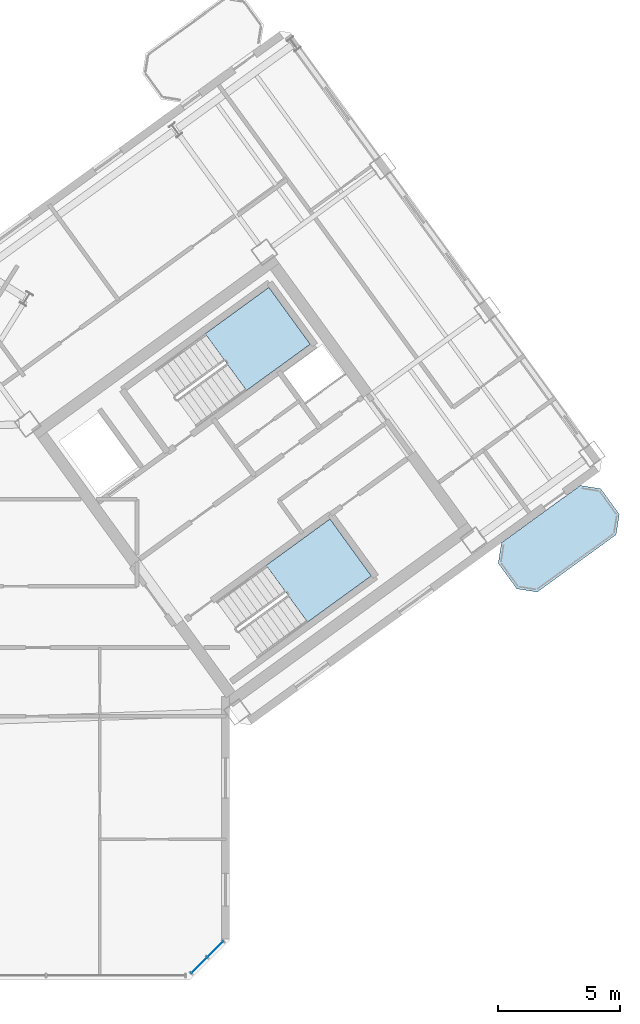
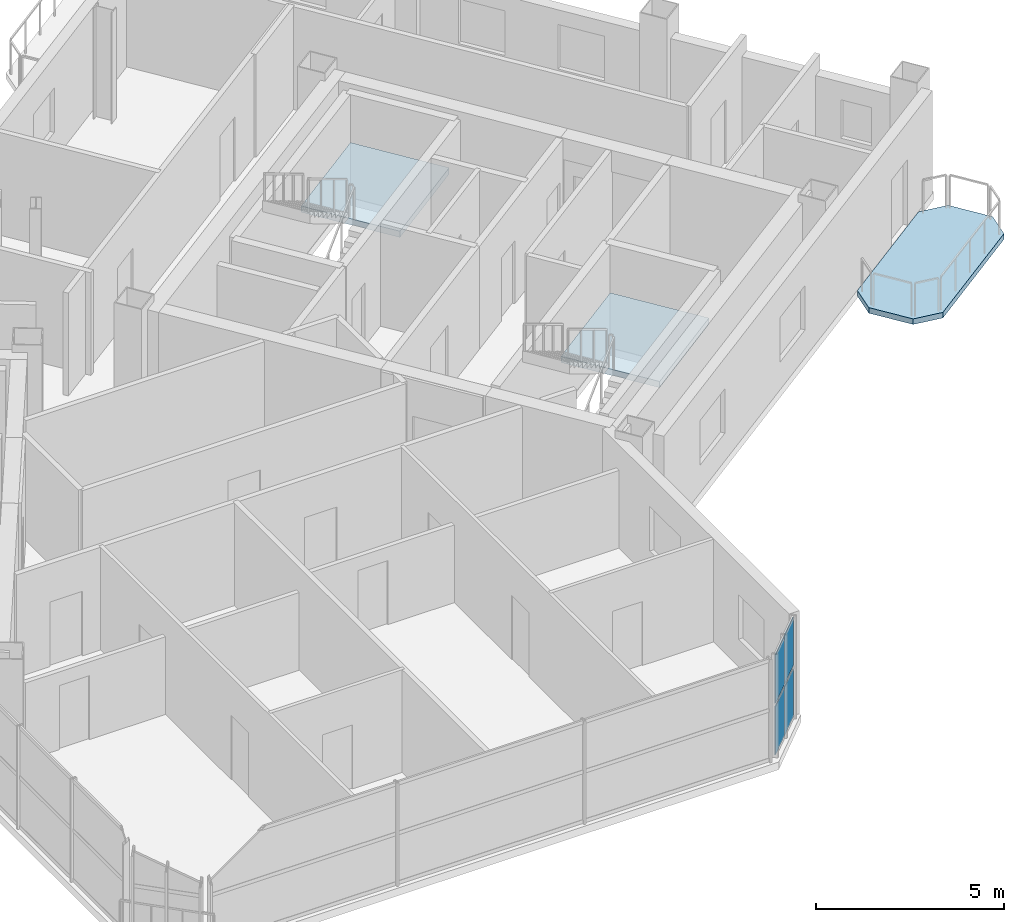
# One storey, part 10 of 20: 4 plates, 3 slabs, 3 elements without a shape of their own.
"""IFC4 building model written with IfcOpenShell, lengths in metres."""

from ifc_helpers import new_model, si_unit, direction, frame, origin, origin_2d, place, context, subcontext, project, spatial, polyline, rectangle, outline, extrude, source, transform, mapped, material, layer, layer_set, type_object, element, aggregate, save


model = new_model("IFC4")

# Units and contexts
model_context = context("Model", 3, precision=1e-05, world=origin(), true_north=direction((0.0, 1.0)))
body_context = subcontext(model_context, "Body", "Model", "MODEL_VIEW")
ifc_project = project(units=[si_unit("LENGTHUNIT", "METRE"), si_unit("AREAUNIT", "SQUARE_METRE"), si_unit("VOLUMEUNIT", "CUBIC_METRE"), si_unit("PLANEANGLEUNIT", "RADIAN"), si_unit("MASSUNIT", "GRAM", prefix="KILO")], contexts=[model_context])

# Site, building, storey
site_placement = place(None, origin())
site = spatial("IfcSite", under=ifc_project, at=site_placement, CompositionType="ELEMENT")
building_placement = place(site_placement, origin())
building = spatial("IfcBuilding", under=site, at=building_placement, Name="Tlacorven Tower", CompositionType="ELEMENT")
storey_placement = place(building_placement, frame((0.0, 0.0, 225.60009765625)))
storey = spatial("IfcBuildingStorey", under=building, at=storey_placement, Name="L57", CompositionType="ELEMENT", Elevation=225.60009765625)

# Slab
ifc_material_1 = material(Name="Precast concrete C45/55", Category="concrete")
ifc_layer_1 = layer(ifc_material_1, 0.179931640625)
ifc_layer_set_1 = layer_set([ifc_layer_1], Name="Precast concrete C45/55")
slab_type_1 = type_object("IfcSlabType", Name="SL-BAL-180", PredefinedType="USERDEFINED", material=ifc_layer_set_1)
slab_1_placement = place(storey_placement, frame((0.0, 0.0, -0.18017578125)))
element("IfcSlab", 1, at=slab_1_placement, inside=storey, type_object=slab_type_1, Name="L57 East Wing Balcony Ribbon OUT", ObjectType="BALCONY SLAB", PredefinedType="USERDEFINED", context=body_context, shape_type="SweptSolid", body=[
    extrude(outline(polyline([(65.025634765625, 17.69482421875), (68.26171875, 20.046142578125), (68.394287109375, 20.884033203125), (67.633056640625, 21.931884765625), (66.795166015625, 22.064453125), (63.55908203125, 19.71337890625), (63.42626953125, 18.875244140625), (64.1875, 17.82763671875), (65.025634765625, 17.69482421875)])), origin(), (0.0, 0.0, 1.0), 0.18017578125),
])

# Stair, slab
ifc_material_2 = material(Name="Concrete C40/50", Category="concrete")
stair_type = type_object("IfcStairType", Name="ST-CORE-DLG", PredefinedType="HALF_TURN_STAIR", material=ifc_material_2)
stair_1_placement = place(storey_placement, origin())
stair_1 = element("IfcStair", 2, at=stair_1_placement, inside=storey, type_object=stair_type, Name="L57 Protected Exit Stair East 1", PredefinedType="HALF_TURN_STAIR")
ifc_layer_2 = layer(ifc_material_2, 0.199951171875)
ifc_layer_set_2 = layer_set([ifc_layer_2], Name="Concrete C40/50")
slab_type_2 = type_object("IfcSlabType", Name="SL-LND-200", PredefinedType="LANDING", material=ifc_layer_set_2)
slab_2_placement = place(storey_placement, frame((0.0, 0.0, 1.599853515625)))
slab_2 = element("IfcSlab", 3, at=slab_2_placement, type_object=slab_type_2, Name="ST-E1 landing 1", PredefinedType="LANDING", context=body_context, shape_type="SweptSolid", body=[
    extrude(outline(polyline([(53.09765625, 25.962890625), (55.7109375, 27.861572265625), (54.01806640625, 30.19140625), (51.40478515625, 28.29296875), (53.09765625, 25.962890625)])), origin(), (0.0, 0.0, 1.0), 0.199951171875),
])
aggregate(stair_1, [slab_2])

stair_2_placement = place(storey_placement, origin())
stair_2 = element("IfcStair", 4, at=stair_2_placement, inside=storey, type_object=stair_type, Name="L57 Protected Exit Stair East 2", PredefinedType="HALF_TURN_STAIR")
slab_3_placement = place(storey_placement, frame((0.0, 0.0, 1.599853515625)))
slab_3 = element("IfcSlab", 5, at=slab_3_placement, type_object=slab_type_2, Name="ST-E2 landing 1", PredefinedType="LANDING", context=body_context, shape_type="SweptSolid", body=[
    extrude(outline(polyline([(55.601806640625, 16.4599609375), (58.21484375, 18.3583984375), (56.52197265625, 20.6884765625), (53.908935546875, 18.789794921875), (55.601806640625, 16.4599609375)])), origin(), (0.0, 0.0, 1.0), 0.199951171875),
])
aggregate(stair_2, [slab_3])

# Curtain wall, plates
ifc_material_3 = material(Name="Dark solar low-E double glazing in aluminium frame", Category="aluminium")
curtain_wall_type = type_object("IfcCurtainWallType", Name="CW-TWR-HIGH", PredefinedType="USERDEFINED", material=ifc_material_3)
curtain_wall_placement = place(storey_placement, origin())
curtain_wall = element("IfcCurtainWall", 6, at=curtain_wall_placement, inside=storey, type_object=curtain_wall_type, Name="L57 CW-TWR-HIGH Curtain Wall 257", ObjectType="UNITISED CURTAIN WALL", PredefinedType="USERDEFINED")
ifc_material_4 = material(Name="High-wind dark solar tempered low-E glazing", Category="glass")
ifc_layer_3 = layer(ifc_material_4, 0.028076171875)
ifc_layer_set_3 = layer_set([ifc_layer_3], Name="High-wind dark solar tempered low-E glazing")
plate_type = type_object("IfcPlateType", Name="CWP-03", PredefinedType="CURTAIN_PANEL", material=ifc_layer_set_3)
shared_shape = source(origin(), body_context, "Body", "SweptSolid", [
    extrude(rectangle(XDim=0.89306640625, YDim=0.028076171875, at=origin_2d()), origin(), (0.0, 0.0, 1.0), 1.572998046875),
])
plate_1_placement = place(storey_placement, frame((51.8173828125, 3.043701171875, 0.05078125), z_axis=(0.0, 0.0, 1.0), x_axis=(-0.707106781187, -0.707106781187, 0.0)))
plate_1 = element("IfcPlate", 7, at=plate_1_placement, type_object=plate_type, Name="CW-L57-257 Glazing Panel 1", PredefinedType="CURTAIN_PANEL", context=body_context, shape_type="MappedRepresentation", body=[
    mapped(shared_shape, transform((0.0, 0.0, 0.0), scale=1.0)),
])
plate_2_placement = place(storey_placement, frame((51.8173828125, 3.043701171875, 1.72607421875), z_axis=(0.0, 0.0, 1.0), x_axis=(-0.707106781187, -0.707106781187, 0.0)))
plate_2 = element("IfcPlate", 8, at=plate_2_placement, type_object=plate_type, Name="CW-L57-257 Glazing Panel 2", PredefinedType="CURTAIN_PANEL", context=body_context, shape_type="MappedRepresentation", body=[
    mapped(shared_shape, transform((0.0, 0.0, 0.0), scale=1.0)),
])
plate_3_placement = place(storey_placement, frame((51.15625, 2.382568359375, 0.05078125), z_axis=(0.0, 0.0, 1.0), x_axis=(-0.707106781187, -0.707106781187, 0.0)))
plate_3 = element("IfcPlate", 9, at=plate_3_placement, type_object=plate_type, Name="CW-L57-257 Glazing Panel 3", PredefinedType="CURTAIN_PANEL", context=body_context, shape_type="MappedRepresentation", body=[
    mapped(shared_shape, transform((0.0, 0.0, 0.0), scale=1.0)),
])
plate_4_placement = place(storey_placement, frame((51.15625, 2.382568359375, 1.72607421875), z_axis=(0.0, 0.0, 1.0), x_axis=(-0.707106781187, -0.707106781187, 0.0)))
plate_4 = element("IfcPlate", 10, at=plate_4_placement, type_object=plate_type, Name="CW-L57-257 Glazing Panel 4", PredefinedType="CURTAIN_PANEL", context=body_context, shape_type="MappedRepresentation", body=[
    mapped(shared_shape, transform((0.0, 0.0, 0.0), scale=1.0)),
])
aggregate(curtain_wall, [plate_1, plate_2, plate_3, plate_4])

save(model, "model.ifc")
